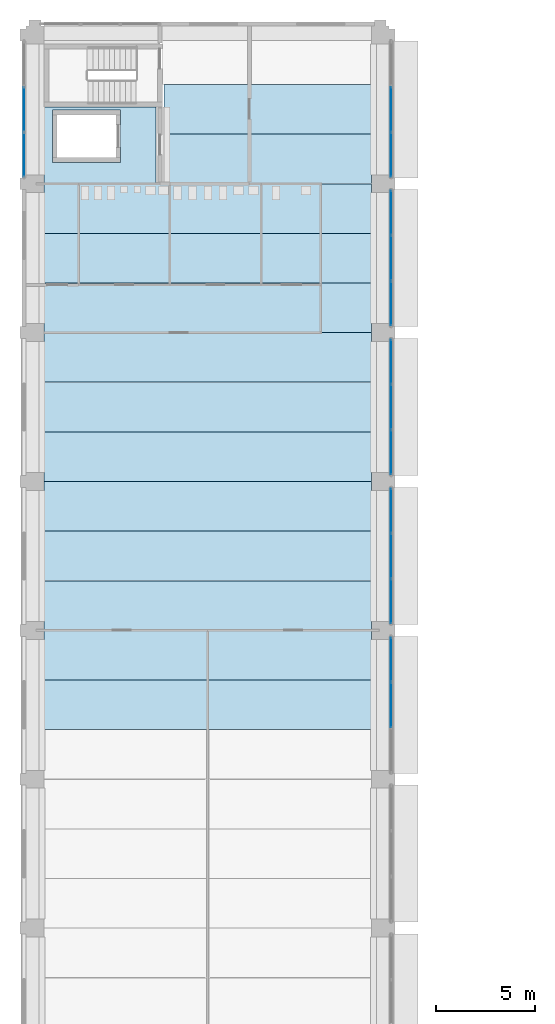
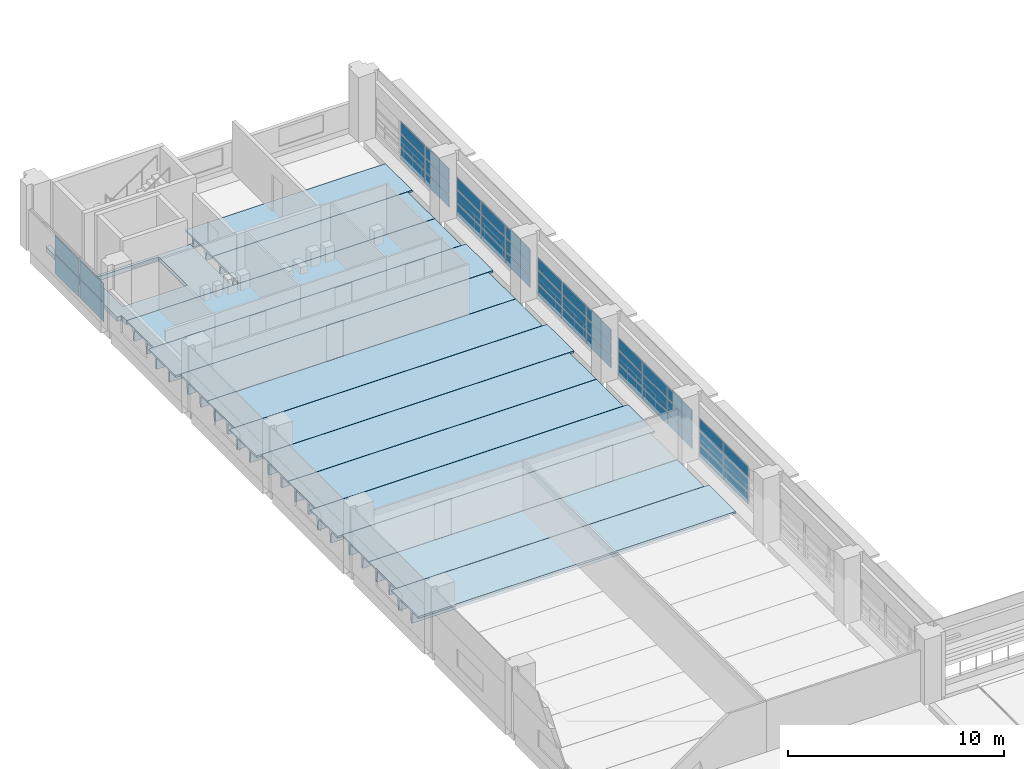
# One storey, part 24 of 57: 43 plates, 14 slabs, 6 elements without a shape of their own.
"""IFC4 building model written with IfcOpenShell, lengths in metres."""

from ifc_helpers import new_model, si_unit, direction, frame, origin, origin_2d, place, context, subcontext, project, spatial, polyline, rectangle, outline, extrude, material, layer, layer_set, material_profile, profile_set, type_object, element, aggregate, save


model = new_model("IFC4")

# Units and contexts
model_context = context("Model", 3, precision=1e-05, world=origin(), true_north=direction((0.0, 1.0)))
body_context = subcontext(model_context, "Body", "Model", "MODEL_VIEW")
ifc_project = project(units=[si_unit("LENGTHUNIT", "METRE"), si_unit("AREAUNIT", "SQUARE_METRE"), si_unit("VOLUMEUNIT", "CUBIC_METRE"), si_unit("PLANEANGLEUNIT", "RADIAN"), si_unit("MASSUNIT", "GRAM", prefix="KILO")], contexts=[model_context])

# Site, building, storey
site_placement = place(None, origin())
site = spatial("IfcSite", under=ifc_project, at=site_placement, CompositionType="ELEMENT")
building_placement = place(site_placement, origin())
building = spatial("IfcBuilding", under=site, at=building_placement, Name="Cour d'Honneur Mobility Palace", CompositionType="ELEMENT")
storey_placement = place(building_placement, frame((0.0, 0.0, 8.199951171875)))
storey = spatial("IfcBuildingStorey", under=building, at=storey_placement, Name="L02", CompositionType="ELEMENT", Elevation=8.199951171875)

# Slab
ifc_material_1 = material(Name="Concrete C50", Category="concrete")
ifc_layer_1 = layer(ifc_material_1, 0.25)
ifc_layer_set_1 = layer_set([ifc_layer_1], Name="Concrete C50")
slab_type_1 = type_object("IfcSlabType", Name="Cast-in-place Slab 250", PredefinedType="FLOOR", material=ifc_layer_set_1)
slab_1_placement = place(storey_placement, frame((0.0, 0.0, -0.25)))
element("IfcSlab", 1, at=slab_1_placement, inside=storey, type_object=slab_type_1, Name="Cast-in-place slab S1 L02 core", PredefinedType="FLOOR", context=body_context, shape_type="SweptSolid", body=[
    extrude(outline(polyline([(0.199951171875, 107.85009765625), (0.199951171875, 114.449951171875), (0.449951171875, 114.449951171875), (0.449951171875, 111.27490234375), (6.10009765625, 111.27490234375), (6.10009765625, 107.39990234375), (0.449951171875, 107.39990234375), (0.449951171875, 107.85009765625), (0.199951171875, 107.85009765625)]), holes=[polyline([(0.875, 111.125), (0.875, 108.47509765625), (4.324951171875, 108.47509765625), (4.324951171875, 111.125), (0.875, 111.125)])]), origin(), (0.0, 0.0, 1.0), 0.25),
])

# Curtain wall, plates
ifc_material_2 = material(Name="Aluminium and glass", Category="aluminium")
ifc_layer_2 = layer(ifc_material_2, 0.10009765625)
ifc_layer_set_2 = layer_set([ifc_layer_2], Name="Aluminium and glass")
curtain_wall_type = type_object("IfcCurtainWallType", Name="Curtain wall run", PredefinedType="NOTDEFINED", material=ifc_layer_set_2)
curtain_wall_1_placement = place(storey_placement, origin())
curtain_wall_1 = element("IfcCurtainWall", 2, at=curtain_wall_1_placement, inside=storey, type_object=curtain_wall_type, Name="Curtain wall CW-25", PredefinedType="NOTDEFINED")
ifc_material_3 = material(Name="Double glazing", Category="glass")
ifc_layer_3 = layer(ifc_material_3, 0.028076171875)
ifc_layer_set_3 = layer_set([ifc_layer_3], Name="Double glazing")
plate_type = type_object("IfcPlateType", Name="Curtain wall panel", PredefinedType="CURTAIN_PANEL", material=ifc_layer_set_3)
plate_1_placement = place(storey_placement, frame((17.949951171875, 81.14990234375, 0.06005859375), z_axis=(0.0, 0.0, 1.0), x_axis=(0.0, 1.0, 0.0)))
plate_1 = element("IfcPlate", 3, at=plate_1_placement, type_object=plate_type, Name="CW-25 panel 2.1", PredefinedType="CURTAIN_PANEL", context=body_context, shape_type="SweptSolid", body=[
    extrude(rectangle(XDim=2.239990234375, YDim=0.028076171875, at=origin_2d()), origin(), (0.0, 0.0, 1.0), 0.6767578125),
])
plate_2_placement = place(storey_placement, frame((17.949951171875, 81.14990234375, 0.796875), z_axis=(0.0, 0.0, 1.0), x_axis=(0.0, 1.0, 0.0)))
plate_2 = element("IfcPlate", 4, at=plate_2_placement, type_object=plate_type, Name="CW-25 panel 2.2", PredefinedType="CURTAIN_PANEL", context=body_context, shape_type="SweptSolid", body=[
    extrude(rectangle(XDim=2.239990234375, YDim=0.028076171875, at=origin_2d()), origin(), (0.0, 0.0, 1.0), 0.706787109375),
])
plate_3_placement = place(storey_placement, frame((17.949951171875, 81.14990234375, 1.563232421875), z_axis=(0.0, 0.0, 1.0), x_axis=(0.0, 1.0, 0.0)))
plate_3 = element("IfcPlate", 5, at=plate_3_placement, type_object=plate_type, Name="CW-25 panel 2.3", PredefinedType="CURTAIN_PANEL", context=body_context, shape_type="SweptSolid", body=[
    extrude(rectangle(XDim=2.239990234375, YDim=0.028076171875, at=origin_2d()), origin(), (0.0, 0.0, 1.0), 0.6767578125),
])
plate_4_placement = place(storey_placement, frame((17.949951171875, 83.43505859375, 0.06005859375), z_axis=(0.0, 0.0, 1.0), x_axis=(0.0, 1.0, 0.0)))
plate_4 = element("IfcPlate", 6, at=plate_4_placement, type_object=plate_type, Name="CW-25 panel 3.1", PredefinedType="CURTAIN_PANEL", context=body_context, shape_type="SweptSolid", body=[
    extrude(rectangle(XDim=2.2099609375, YDim=0.028076171875, at=origin_2d()), origin(), (0.0, 0.0, 1.0), 0.6767578125),
])
plate_5_placement = place(storey_placement, frame((17.949951171875, 83.43505859375, 0.796875), z_axis=(0.0, 0.0, 1.0), x_axis=(0.0, 1.0, 0.0)))
plate_5 = element("IfcPlate", 7, at=plate_5_placement, type_object=plate_type, Name="CW-25 panel 3.2", PredefinedType="CURTAIN_PANEL", context=body_context, shape_type="SweptSolid", body=[
    extrude(rectangle(XDim=2.2099609375, YDim=0.028076171875, at=origin_2d()), origin(), (0.0, 0.0, 1.0), 0.706787109375),
])
plate_6_placement = place(storey_placement, frame((17.949951171875, 83.43505859375, 1.563232421875), z_axis=(0.0, 0.0, 1.0), x_axis=(0.0, 1.0, 0.0)))
plate_6 = element("IfcPlate", 8, at=plate_6_placement, type_object=plate_type, Name="CW-25 panel 3.3", PredefinedType="CURTAIN_PANEL", context=body_context, shape_type="SweptSolid", body=[
    extrude(rectangle(XDim=2.2099609375, YDim=0.028076171875, at=origin_2d()), origin(), (0.0, 0.0, 1.0), 0.6767578125),
])
aggregate(curtain_wall_1, [plate_1, plate_2, plate_3, plate_4, plate_5, plate_6])

curtain_wall_2_placement = place(storey_placement, origin())
curtain_wall_2 = element("IfcCurtainWall", 9, at=curtain_wall_2_placement, inside=storey, type_object=curtain_wall_type, Name="Curtain wall CW-26", PredefinedType="NOTDEFINED")
plate_7_placement = place(storey_placement, frame((17.949951171875, 86.364990234375, 0.06005859375), z_axis=(0.0, 0.0, 1.0), x_axis=(0.0, 1.0, 0.0)))
plate_7 = element("IfcPlate", 10, at=plate_7_placement, type_object=plate_type, Name="CW-26 panel 1.1", PredefinedType="CURTAIN_PANEL", context=body_context, shape_type="SweptSolid", body=[
    extrude(rectangle(XDim=2.2099609375, YDim=0.028076171875, at=origin_2d()), origin(), (0.0, 0.0, 1.0), 0.6767578125),
])
plate_8_placement = place(storey_placement, frame((17.949951171875, 86.364990234375, 0.796875), z_axis=(0.0, 0.0, 1.0), x_axis=(0.0, 1.0, 0.0)))
plate_8 = element("IfcPlate", 11, at=plate_8_placement, type_object=plate_type, Name="CW-26 panel 1.2", PredefinedType="CURTAIN_PANEL", context=body_context, shape_type="SweptSolid", body=[
    extrude(rectangle(XDim=2.2099609375, YDim=0.028076171875, at=origin_2d()), origin(), (0.0, 0.0, 1.0), 0.706787109375),
])
plate_9_placement = place(storey_placement, frame((17.949951171875, 86.364990234375, 1.563232421875), z_axis=(0.0, 0.0, 1.0), x_axis=(0.0, 1.0, 0.0)))
plate_9 = element("IfcPlate", 12, at=plate_9_placement, type_object=plate_type, Name="CW-26 panel 1.3", PredefinedType="CURTAIN_PANEL", context=body_context, shape_type="SweptSolid", body=[
    extrude(rectangle(XDim=2.2099609375, YDim=0.028076171875, at=origin_2d()), origin(), (0.0, 0.0, 1.0), 0.6767578125),
])
plate_10_placement = place(storey_placement, frame((17.949951171875, 88.64990234375, 0.06005859375), z_axis=(0.0, 0.0, 1.0), x_axis=(0.0, 1.0, 0.0)))
plate_10 = element("IfcPlate", 13, at=plate_10_placement, type_object=plate_type, Name="CW-26 panel 2.1", PredefinedType="CURTAIN_PANEL", context=body_context, shape_type="SweptSolid", body=[
    extrude(rectangle(XDim=2.239990234375, YDim=0.028076171875, at=origin_2d()), origin(), (0.0, 0.0, 1.0), 0.6767578125),
])
plate_11_placement = place(storey_placement, frame((17.949951171875, 88.64990234375, 0.796875), z_axis=(0.0, 0.0, 1.0), x_axis=(0.0, 1.0, 0.0)))
plate_11 = element("IfcPlate", 14, at=plate_11_placement, type_object=plate_type, Name="CW-26 panel 2.2", PredefinedType="CURTAIN_PANEL", context=body_context, shape_type="SweptSolid", body=[
    extrude(rectangle(XDim=2.239990234375, YDim=0.028076171875, at=origin_2d()), origin(), (0.0, 0.0, 1.0), 0.706787109375),
])
plate_12_placement = place(storey_placement, frame((17.949951171875, 88.64990234375, 1.563232421875), z_axis=(0.0, 0.0, 1.0), x_axis=(0.0, 1.0, 0.0)))
plate_12 = element("IfcPlate", 15, at=plate_12_placement, type_object=plate_type, Name="CW-26 panel 2.3", PredefinedType="CURTAIN_PANEL", context=body_context, shape_type="SweptSolid", body=[
    extrude(rectangle(XDim=2.239990234375, YDim=0.028076171875, at=origin_2d()), origin(), (0.0, 0.0, 1.0), 0.6767578125),
])
plate_13_placement = place(storey_placement, frame((17.949951171875, 90.93505859375, 0.06005859375), z_axis=(0.0, 0.0, 1.0), x_axis=(0.0, 1.0, 0.0)))
plate_13 = element("IfcPlate", 16, at=plate_13_placement, type_object=plate_type, Name="CW-26 panel 3.1", PredefinedType="CURTAIN_PANEL", context=body_context, shape_type="SweptSolid", body=[
    extrude(rectangle(XDim=2.2099609375, YDim=0.028076171875, at=origin_2d()), origin(), (0.0, 0.0, 1.0), 0.6767578125),
])
plate_14_placement = place(storey_placement, frame((17.949951171875, 90.93505859375, 0.796875), z_axis=(0.0, 0.0, 1.0), x_axis=(0.0, 1.0, 0.0)))
plate_14 = element("IfcPlate", 17, at=plate_14_placement, type_object=plate_type, Name="CW-26 panel 3.2", PredefinedType="CURTAIN_PANEL", context=body_context, shape_type="SweptSolid", body=[
    extrude(rectangle(XDim=2.2099609375, YDim=0.028076171875, at=origin_2d()), origin(), (0.0, 0.0, 1.0), 0.706787109375),
])
plate_15_placement = place(storey_placement, frame((17.949951171875, 90.93505859375, 1.563232421875), z_axis=(0.0, 0.0, 1.0), x_axis=(0.0, 1.0, 0.0)))
plate_15 = element("IfcPlate", 18, at=plate_15_placement, type_object=plate_type, Name="CW-26 panel 3.3", PredefinedType="CURTAIN_PANEL", context=body_context, shape_type="SweptSolid", body=[
    extrude(rectangle(XDim=2.2099609375, YDim=0.028076171875, at=origin_2d()), origin(), (0.0, 0.0, 1.0), 0.6767578125),
])
aggregate(curtain_wall_2, [plate_7, plate_8, plate_9, plate_10, plate_11, plate_12, plate_13, plate_14, plate_15])

curtain_wall_3_placement = place(storey_placement, origin())
curtain_wall_3 = element("IfcCurtainWall", 19, at=curtain_wall_3_placement, inside=storey, type_object=curtain_wall_type, Name="Curtain wall CW-27", PredefinedType="NOTDEFINED")
plate_16_placement = place(storey_placement, frame((17.949951171875, 93.864990234375, 0.06005859375), z_axis=(0.0, 0.0, 1.0), x_axis=(0.0, 1.0, 0.0)))
plate_16 = element("IfcPlate", 20, at=plate_16_placement, type_object=plate_type, Name="CW-27 panel 1.1", PredefinedType="CURTAIN_PANEL", context=body_context, shape_type="SweptSolid", body=[
    extrude(rectangle(XDim=2.2099609375, YDim=0.028076171875, at=origin_2d()), origin(), (0.0, 0.0, 1.0), 0.6767578125),
])
plate_17_placement = place(storey_placement, frame((17.949951171875, 93.864990234375, 0.796875), z_axis=(0.0, 0.0, 1.0), x_axis=(0.0, 1.0, 0.0)))
plate_17 = element("IfcPlate", 21, at=plate_17_placement, type_object=plate_type, Name="CW-27 panel 1.2", PredefinedType="CURTAIN_PANEL", context=body_context, shape_type="SweptSolid", body=[
    extrude(rectangle(XDim=2.2099609375, YDim=0.028076171875, at=origin_2d()), origin(), (0.0, 0.0, 1.0), 0.706787109375),
])
plate_18_placement = place(storey_placement, frame((17.949951171875, 93.864990234375, 1.563232421875), z_axis=(0.0, 0.0, 1.0), x_axis=(0.0, 1.0, 0.0)))
plate_18 = element("IfcPlate", 22, at=plate_18_placement, type_object=plate_type, Name="CW-27 panel 1.3", PredefinedType="CURTAIN_PANEL", context=body_context, shape_type="SweptSolid", body=[
    extrude(rectangle(XDim=2.2099609375, YDim=0.028076171875, at=origin_2d()), origin(), (0.0, 0.0, 1.0), 0.6767578125),
])
plate_19_placement = place(storey_placement, frame((17.949951171875, 96.14990234375, 0.06005859375), z_axis=(0.0, 0.0, 1.0), x_axis=(0.0, 1.0, 0.0)))
plate_19 = element("IfcPlate", 23, at=plate_19_placement, type_object=plate_type, Name="CW-27 panel 2.1", PredefinedType="CURTAIN_PANEL", context=body_context, shape_type="SweptSolid", body=[
    extrude(rectangle(XDim=2.239990234375, YDim=0.028076171875, at=origin_2d()), origin(), (0.0, 0.0, 1.0), 0.6767578125),
])
plate_20_placement = place(storey_placement, frame((17.949951171875, 96.14990234375, 0.796875), z_axis=(0.0, 0.0, 1.0), x_axis=(0.0, 1.0, 0.0)))
plate_20 = element("IfcPlate", 24, at=plate_20_placement, type_object=plate_type, Name="CW-27 panel 2.2", PredefinedType="CURTAIN_PANEL", context=body_context, shape_type="SweptSolid", body=[
    extrude(rectangle(XDim=2.239990234375, YDim=0.028076171875, at=origin_2d()), origin(), (0.0, 0.0, 1.0), 0.706787109375),
])
plate_21_placement = place(storey_placement, frame((17.949951171875, 96.14990234375, 1.563232421875), z_axis=(0.0, 0.0, 1.0), x_axis=(0.0, 1.0, 0.0)))
plate_21 = element("IfcPlate", 25, at=plate_21_placement, type_object=plate_type, Name="CW-27 panel 2.3", PredefinedType="CURTAIN_PANEL", context=body_context, shape_type="SweptSolid", body=[
    extrude(rectangle(XDim=2.239990234375, YDim=0.028076171875, at=origin_2d()), origin(), (0.0, 0.0, 1.0), 0.6767578125),
])
plate_22_placement = place(storey_placement, frame((17.949951171875, 98.43505859375, 0.06005859375), z_axis=(0.0, 0.0, 1.0), x_axis=(0.0, 1.0, 0.0)))
plate_22 = element("IfcPlate", 26, at=plate_22_placement, type_object=plate_type, Name="CW-27 panel 3.1", PredefinedType="CURTAIN_PANEL", context=body_context, shape_type="SweptSolid", body=[
    extrude(rectangle(XDim=2.2099609375, YDim=0.028076171875, at=origin_2d()), origin(), (0.0, 0.0, 1.0), 0.6767578125),
])
plate_23_placement = place(storey_placement, frame((17.949951171875, 98.43505859375, 0.796875), z_axis=(0.0, 0.0, 1.0), x_axis=(0.0, 1.0, 0.0)))
plate_23 = element("IfcPlate", 27, at=plate_23_placement, type_object=plate_type, Name="CW-27 panel 3.2", PredefinedType="CURTAIN_PANEL", context=body_context, shape_type="SweptSolid", body=[
    extrude(rectangle(XDim=2.2099609375, YDim=0.028076171875, at=origin_2d()), origin(), (0.0, 0.0, 1.0), 0.706787109375),
])
plate_24_placement = place(storey_placement, frame((17.949951171875, 98.43505859375, 1.563232421875), z_axis=(0.0, 0.0, 1.0), x_axis=(0.0, 1.0, 0.0)))
plate_24 = element("IfcPlate", 28, at=plate_24_placement, type_object=plate_type, Name="CW-27 panel 3.3", PredefinedType="CURTAIN_PANEL", context=body_context, shape_type="SweptSolid", body=[
    extrude(rectangle(XDim=2.2099609375, YDim=0.028076171875, at=origin_2d()), origin(), (0.0, 0.0, 1.0), 0.6767578125),
])
aggregate(curtain_wall_3, [plate_16, plate_17, plate_18, plate_19, plate_20, plate_21, plate_22, plate_23, plate_24])

curtain_wall_4_placement = place(storey_placement, origin())
curtain_wall_4 = element("IfcCurtainWall", 29, at=curtain_wall_4_placement, inside=storey, type_object=curtain_wall_type, Name="Curtain wall CW-28", PredefinedType="NOTDEFINED")
plate_25_placement = place(storey_placement, frame((17.949951171875, 101.364990234375, 0.06005859375), z_axis=(0.0, 0.0, 1.0), x_axis=(0.0, 1.0, 0.0)))
plate_25 = element("IfcPlate", 30, at=plate_25_placement, type_object=plate_type, Name="CW-28 panel 1.1", PredefinedType="CURTAIN_PANEL", context=body_context, shape_type="SweptSolid", body=[
    extrude(rectangle(XDim=2.2099609375, YDim=0.028076171875, at=origin_2d()), origin(), (0.0, 0.0, 1.0), 0.6767578125),
])
plate_26_placement = place(storey_placement, frame((17.949951171875, 101.364990234375, 0.796875), z_axis=(0.0, 0.0, 1.0), x_axis=(0.0, 1.0, 0.0)))
plate_26 = element("IfcPlate", 31, at=plate_26_placement, type_object=plate_type, Name="CW-28 panel 1.2", PredefinedType="CURTAIN_PANEL", context=body_context, shape_type="SweptSolid", body=[
    extrude(rectangle(XDim=2.2099609375, YDim=0.028076171875, at=origin_2d()), origin(), (0.0, 0.0, 1.0), 0.706787109375),
])
plate_27_placement = place(storey_placement, frame((17.949951171875, 101.364990234375, 1.563232421875), z_axis=(0.0, 0.0, 1.0), x_axis=(0.0, 1.0, 0.0)))
plate_27 = element("IfcPlate", 32, at=plate_27_placement, type_object=plate_type, Name="CW-28 panel 1.3", PredefinedType="CURTAIN_PANEL", context=body_context, shape_type="SweptSolid", body=[
    extrude(rectangle(XDim=2.2099609375, YDim=0.028076171875, at=origin_2d()), origin(), (0.0, 0.0, 1.0), 0.6767578125),
])
plate_28_placement = place(storey_placement, frame((17.949951171875, 103.64990234375, 0.06005859375), z_axis=(0.0, 0.0, 1.0), x_axis=(0.0, 1.0, 0.0)))
plate_28 = element("IfcPlate", 33, at=plate_28_placement, type_object=plate_type, Name="CW-28 panel 2.1", PredefinedType="CURTAIN_PANEL", context=body_context, shape_type="SweptSolid", body=[
    extrude(rectangle(XDim=2.239990234375, YDim=0.028076171875, at=origin_2d()), origin(), (0.0, 0.0, 1.0), 0.6767578125),
])
plate_29_placement = place(storey_placement, frame((17.949951171875, 103.64990234375, 0.796875), z_axis=(0.0, 0.0, 1.0), x_axis=(0.0, 1.0, 0.0)))
plate_29 = element("IfcPlate", 34, at=plate_29_placement, type_object=plate_type, Name="CW-28 panel 2.2", PredefinedType="CURTAIN_PANEL", context=body_context, shape_type="SweptSolid", body=[
    extrude(rectangle(XDim=2.239990234375, YDim=0.028076171875, at=origin_2d()), origin(), (0.0, 0.0, 1.0), 0.706787109375),
])
plate_30_placement = place(storey_placement, frame((17.949951171875, 103.64990234375, 1.563232421875), z_axis=(0.0, 0.0, 1.0), x_axis=(0.0, 1.0, 0.0)))
plate_30 = element("IfcPlate", 35, at=plate_30_placement, type_object=plate_type, Name="CW-28 panel 2.3", PredefinedType="CURTAIN_PANEL", context=body_context, shape_type="SweptSolid", body=[
    extrude(rectangle(XDim=2.239990234375, YDim=0.028076171875, at=origin_2d()), origin(), (0.0, 0.0, 1.0), 0.6767578125),
])
plate_31_placement = place(storey_placement, frame((17.949951171875, 105.93505859375, 0.06005859375), z_axis=(0.0, 0.0, 1.0), x_axis=(0.0, 1.0, 0.0)))
plate_31 = element("IfcPlate", 36, at=plate_31_placement, type_object=plate_type, Name="CW-28 panel 3.1", PredefinedType="CURTAIN_PANEL", context=body_context, shape_type="SweptSolid", body=[
    extrude(rectangle(XDim=2.2099609375, YDim=0.028076171875, at=origin_2d()), origin(), (0.0, 0.0, 1.0), 0.6767578125),
])
plate_32_placement = place(storey_placement, frame((17.949951171875, 105.93505859375, 0.796875), z_axis=(0.0, 0.0, 1.0), x_axis=(0.0, 1.0, 0.0)))
plate_32 = element("IfcPlate", 37, at=plate_32_placement, type_object=plate_type, Name="CW-28 panel 3.2", PredefinedType="CURTAIN_PANEL", context=body_context, shape_type="SweptSolid", body=[
    extrude(rectangle(XDim=2.2099609375, YDim=0.028076171875, at=origin_2d()), origin(), (0.0, 0.0, 1.0), 0.706787109375),
])
plate_33_placement = place(storey_placement, frame((17.949951171875, 105.93505859375, 1.563232421875), z_axis=(0.0, 0.0, 1.0), x_axis=(0.0, 1.0, 0.0)))
plate_33 = element("IfcPlate", 38, at=plate_33_placement, type_object=plate_type, Name="CW-28 panel 3.3", PredefinedType="CURTAIN_PANEL", context=body_context, shape_type="SweptSolid", body=[
    extrude(rectangle(XDim=2.2099609375, YDim=0.028076171875, at=origin_2d()), origin(), (0.0, 0.0, 1.0), 0.6767578125),
])
aggregate(curtain_wall_4, [plate_25, plate_26, plate_27, plate_28, plate_29, plate_30, plate_31, plate_32, plate_33])

curtain_wall_5_placement = place(storey_placement, origin())
curtain_wall_5 = element("IfcCurtainWall", 39, at=curtain_wall_5_placement, inside=storey, type_object=curtain_wall_type, Name="Curtain wall CW-29", PredefinedType="NOTDEFINED")
plate_34_placement = place(storey_placement, frame((17.949951171875, 108.864990234375, 0.06005859375), z_axis=(0.0, 0.0, 1.0), x_axis=(0.0, 1.0, 0.0)))
plate_34 = element("IfcPlate", 40, at=plate_34_placement, type_object=plate_type, Name="CW-29 panel 1.1", PredefinedType="CURTAIN_PANEL", context=body_context, shape_type="SweptSolid", body=[
    extrude(rectangle(XDim=2.2099609375, YDim=0.028076171875, at=origin_2d()), origin(), (0.0, 0.0, 1.0), 0.6767578125),
])
plate_35_placement = place(storey_placement, frame((17.949951171875, 108.864990234375, 0.796875), z_axis=(0.0, 0.0, 1.0), x_axis=(0.0, 1.0, 0.0)))
plate_35 = element("IfcPlate", 41, at=plate_35_placement, type_object=plate_type, Name="CW-29 panel 1.2", PredefinedType="CURTAIN_PANEL", context=body_context, shape_type="SweptSolid", body=[
    extrude(rectangle(XDim=2.2099609375, YDim=0.028076171875, at=origin_2d()), origin(), (0.0, 0.0, 1.0), 0.706787109375),
])
plate_36_placement = place(storey_placement, frame((17.949951171875, 108.864990234375, 1.563232421875), z_axis=(0.0, 0.0, 1.0), x_axis=(0.0, 1.0, 0.0)))
plate_36 = element("IfcPlate", 42, at=plate_36_placement, type_object=plate_type, Name="CW-29 panel 1.3", PredefinedType="CURTAIN_PANEL", context=body_context, shape_type="SweptSolid", body=[
    extrude(rectangle(XDim=2.2099609375, YDim=0.028076171875, at=origin_2d()), origin(), (0.0, 0.0, 1.0), 0.6767578125),
])
plate_37_placement = place(storey_placement, frame((17.949951171875, 111.14990234375, 0.06005859375), z_axis=(0.0, 0.0, 1.0), x_axis=(0.0, 1.0, 0.0)))
plate_37 = element("IfcPlate", 43, at=plate_37_placement, type_object=plate_type, Name="CW-29 panel 2.1", PredefinedType="CURTAIN_PANEL", context=body_context, shape_type="SweptSolid", body=[
    extrude(rectangle(XDim=2.239990234375, YDim=0.028076171875, at=origin_2d()), origin(), (0.0, 0.0, 1.0), 0.6767578125),
])
plate_38_placement = place(storey_placement, frame((17.949951171875, 111.14990234375, 0.796875), z_axis=(0.0, 0.0, 1.0), x_axis=(0.0, 1.0, 0.0)))
plate_38 = element("IfcPlate", 44, at=plate_38_placement, type_object=plate_type, Name="CW-29 panel 2.2", PredefinedType="CURTAIN_PANEL", context=body_context, shape_type="SweptSolid", body=[
    extrude(rectangle(XDim=2.239990234375, YDim=0.028076171875, at=origin_2d()), origin(), (0.0, 0.0, 1.0), 0.706787109375),
])
plate_39_placement = place(storey_placement, frame((17.949951171875, 111.14990234375, 1.563232421875), z_axis=(0.0, 0.0, 1.0), x_axis=(0.0, 1.0, 0.0)))
plate_39 = element("IfcPlate", 45, at=plate_39_placement, type_object=plate_type, Name="CW-29 panel 2.3", PredefinedType="CURTAIN_PANEL", context=body_context, shape_type="SweptSolid", body=[
    extrude(rectangle(XDim=2.239990234375, YDim=0.028076171875, at=origin_2d()), origin(), (0.0, 0.0, 1.0), 0.6767578125),
])
aggregate(curtain_wall_5, [plate_34, plate_35, plate_36, plate_37, plate_38, plate_39])

curtain_wall_6_placement = place(storey_placement, origin())
curtain_wall_6 = element("IfcCurtainWall", 46, at=curtain_wall_6_placement, inside=storey, type_object=curtain_wall_type, Name="Curtain wall CW-127", PredefinedType="NOTDEFINED")
plate_40_placement = place(storey_placement, frame((-0.550048828125, 111.14990234375, 0.06005859375), z_axis=(0.0, 0.0, 1.0), x_axis=(0.0, -1.0, 0.0)))
plate_40 = element("IfcPlate", 47, at=plate_40_placement, type_object=plate_type, Name="CW-127 panel 2.1", PredefinedType="CURTAIN_PANEL", context=body_context, shape_type="SweptSolid", body=[
    extrude(rectangle(XDim=2.239990234375, YDim=0.028076171875, at=origin_2d()), origin(), (0.0, 0.0, 1.0), 1.06005859375),
])
plate_41_placement = place(storey_placement, frame((-0.550048828125, 111.14990234375, 1.179931640625), z_axis=(0.0, 0.0, 1.0), x_axis=(0.0, -1.0, 0.0)))
plate_41 = element("IfcPlate", 48, at=plate_41_placement, type_object=plate_type, Name="CW-127 panel 2.2", PredefinedType="CURTAIN_PANEL", context=body_context, shape_type="SweptSolid", body=[
    extrude(rectangle(XDim=2.239990234375, YDim=0.028076171875, at=origin_2d()), origin(), (0.0, 0.0, 1.0), 1.06005859375),
])
plate_42_placement = place(storey_placement, frame((-0.550048828125, 108.864990234375, 0.06005859375), z_axis=(0.0, 0.0, 1.0), x_axis=(0.0, -1.0, 0.0)))
plate_42 = element("IfcPlate", 49, at=plate_42_placement, type_object=plate_type, Name="CW-127 panel 3.1", PredefinedType="CURTAIN_PANEL", context=body_context, shape_type="SweptSolid", body=[
    extrude(rectangle(XDim=2.2099609375, YDim=0.028076171875, at=origin_2d()), origin(), (0.0, 0.0, 1.0), 1.06005859375),
])
plate_43_placement = place(storey_placement, frame((-0.550048828125, 108.864990234375, 1.179931640625), z_axis=(0.0, 0.0, 1.0), x_axis=(0.0, -1.0, 0.0)))
plate_43 = element("IfcPlate", 50, at=plate_43_placement, type_object=plate_type, Name="CW-127 panel 3.2", PredefinedType="CURTAIN_PANEL", context=body_context, shape_type="SweptSolid", body=[
    extrude(rectangle(XDim=2.2099609375, YDim=0.028076171875, at=origin_2d()), origin(), (0.0, 0.0, 1.0), 1.06005859375),
])
aggregate(curtain_wall_6, [plate_40, plate_41, plate_42, plate_43])

# Slabs
ifc_material_4 = material(Name="Concrete C45", Category="concrete")
ifc_material_profile_1 = material_profile(ifc_material_4, outline(polyline([(-1.2451171875, 0.0), (1.2451171875, 0.0), (1.2451171875, -0.10009765625), (0.679931640625, -0.10009765625), (0.64990234375, -0.60009765625), (0.550048828125, -0.60009765625), (0.52001953125, -0.10009765625), (-0.52001953125, -0.10009765625), (-0.550048828125, -0.60009765625), (-0.64990234375, -0.60009765625), (-0.679931640625, -0.10009765625), (-1.2451171875, -0.10009765625), (-1.2451171875, 0.0)])), Name="DT 2490x600")
ifc_profile_set_1 = profile_set([ifc_material_profile_1], Name="Concrete C45")
slab_type_2 = type_object("IfcSlabType", Name="DT 2490x600", PredefinedType="FLOOR", material=ifc_profile_set_1)
slab_2_placement = place(storey_placement, frame((6.5, 108.64990234375, 0.0), z_axis=(1.0, 0.0, 0.0), x_axis=(0.0, 1.0, 0.0)))
element("IfcSlab", 51, at=slab_2_placement, inside=storey, type_object=slab_type_2, Name="Double tee DT-NW19 L02", PredefinedType="FLOOR", context=body_context, shape_type="SweptSolid", body=[
    extrude(outline(polyline([(-1.2451171875, 0.0), (1.2451171875, 0.0), (1.2451171875, -0.10009765625), (0.679931640625, -0.10009765625), (0.64990234375, -0.60009765625), (0.550048828125, -0.60009765625), (0.52001953125, -0.10009765625), (-0.52001953125, -0.10009765625), (-0.550048828125, -0.60009765625), (-0.64990234375, -0.60009765625), (-0.679931640625, -0.10009765625), (-1.2451171875, -0.10009765625), (-1.2451171875, 0.0)])), origin(), (0.0, 0.0, 1.0), 10.449951171875),
])
slab_3_placement = place(storey_placement, frame((6.5, 111.14990234375, 0.0), z_axis=(1.0, 0.0, 0.0), x_axis=(0.0, 1.0, 0.0)))
element("IfcSlab", 52, at=slab_3_placement, inside=storey, type_object=slab_type_2, Name="Double tee DT-NW20 L02", PredefinedType="FLOOR", context=body_context, shape_type="SweptSolid", body=[
    extrude(outline(polyline([(-1.2451171875, 0.0), (1.2451171875, 0.0), (1.2451171875, -0.10009765625), (0.679931640625, -0.10009765625), (0.64990234375, -0.60009765625), (0.550048828125, -0.60009765625), (0.52001953125, -0.10009765625), (-0.52001953125, -0.10009765625), (-0.550048828125, -0.60009765625), (-0.64990234375, -0.60009765625), (-0.679931640625, -0.10009765625), (-1.2451171875, -0.10009765625), (-1.2451171875, 0.0)])), origin(), (0.0, 0.0, 1.0), 10.699951171875),
])
ifc_material_5 = material(Name="Concrete C45", Category="concrete")
ifc_material_profile_2 = material_profile(ifc_material_5, outline(polyline([(-1.2451171875, 0.0), (1.2451171875, 0.0), (1.2451171875, -0.10009765625), (0.679931640625, -0.10009765625), (0.64990234375, -0.75), (0.550048828125, -0.75), (0.52001953125, -0.10009765625), (-0.52001953125, -0.10009765625), (-0.550048828125, -0.75), (-0.64990234375, -0.75), (-0.679931640625, -0.10009765625), (-1.2451171875, -0.10009765625), (-1.2451171875, 0.0)])), Name="DT 2490x750")
ifc_profile_set_2 = profile_set([ifc_material_profile_2], Name="Concrete C45")
slab_type_3 = type_object("IfcSlabType", Name="DT 2490x750", PredefinedType="FLOOR", material=ifc_profile_set_2)
slab_4_placement = place(storey_placement, frame((0.199951171875, 81.14990234375, 0.0), z_axis=(1.0, 0.0, 0.0), x_axis=(0.0, 1.0, 0.0)))
element("IfcSlab", 53, at=slab_4_placement, inside=storey, type_object=slab_type_3, Name="Double tee DT-NW8 L02", PredefinedType="FLOOR", context=body_context, shape_type="SweptSolid", body=[
    extrude(outline(polyline([(-1.2451171875, 0.0), (1.2451171875, 0.0), (1.2451171875, -0.10009765625), (0.679931640625, -0.10009765625), (0.64990234375, -0.75), (0.550048828125, -0.75), (0.52001953125, -0.10009765625), (-0.52001953125, -0.10009765625), (-0.550048828125, -0.75), (-0.64990234375, -0.75), (-0.679931640625, -0.10009765625), (-1.2451171875, -0.10009765625), (-1.2451171875, 0.0)])), origin(), (0.0, 0.0, 1.0), 17.0),
])
for number, where, z_axis, x_axis, name in (
    (54, (0.449951171875, 83.64990234375, 0.0), (1.0, 0.0, 0.0), (0.0, 1.0, 0.0), "Double tee DT-NW9 L02"),
    (55, (0.449951171875, 86.14990234375, 0.0), (1.0, 0.0, 0.0), (0.0, 1.0, 0.0), "Double tee DT-NW10 L02"),
):
    element("IfcSlab", number, at=place(storey_placement, frame(where, z_axis=z_axis, x_axis=x_axis)), inside=storey, type_object=slab_type_3, Name=name, PredefinedType="FLOOR", context=body_context, shape_type="SweptSolid", body=[
        extrude(outline(polyline([(-1.2451171875, 0.0), (1.2451171875, 0.0), (1.2451171875, -0.10009765625), (0.679931640625, -0.10009765625), (0.64990234375, -0.75), (0.550048828125, -0.75), (0.52001953125, -0.10009765625), (-0.52001953125, -0.10009765625), (-0.550048828125, -0.75), (-0.64990234375, -0.75), (-0.679931640625, -0.10009765625), (-1.2451171875, -0.10009765625), (-1.2451171875, 0.0)])), origin(), (0.0, 0.0, 1.0), 16.5),
    ])
slab_5_placement = place(storey_placement, frame((0.199951171875, 88.64990234375, 0.0), z_axis=(1.0, 0.0, 0.0), x_axis=(0.0, 1.0, 0.0)))
element("IfcSlab", 56, at=slab_5_placement, inside=storey, type_object=slab_type_3, Name="Double tee DT-NW11 L02", PredefinedType="FLOOR", context=body_context, shape_type="SweptSolid", body=[
    extrude(outline(polyline([(-1.2451171875, 0.0), (1.2451171875, 0.0), (1.2451171875, -0.10009765625), (0.679931640625, -0.10009765625), (0.64990234375, -0.75), (0.550048828125, -0.75), (0.52001953125, -0.10009765625), (-0.52001953125, -0.10009765625), (-0.550048828125, -0.75), (-0.64990234375, -0.75), (-0.679931640625, -0.10009765625), (-1.2451171875, -0.10009765625), (-1.2451171875, 0.0)])), origin(), (0.0, 0.0, 1.0), 17.0),
])
for number, where, z_axis, x_axis, name in (
    (57, (0.449951171875, 91.14990234375, 0.0), (1.0, 0.0, 0.0), (0.0, 1.0, 0.0), "Double tee DT-NW12 L02"),
    (58, (0.449951171875, 93.64990234375, 0.0), (1.0, 0.0, 0.0), (0.0, 1.0, 0.0), "Double tee DT-NW13 L02"),
):
    element("IfcSlab", number, at=place(storey_placement, frame(where, z_axis=z_axis, x_axis=x_axis)), inside=storey, type_object=slab_type_3, Name=name, PredefinedType="FLOOR", context=body_context, shape_type="SweptSolid", body=[
        extrude(outline(polyline([(-1.2451171875, 0.0), (1.2451171875, 0.0), (1.2451171875, -0.10009765625), (0.679931640625, -0.10009765625), (0.64990234375, -0.75), (0.550048828125, -0.75), (0.52001953125, -0.10009765625), (-0.52001953125, -0.10009765625), (-0.550048828125, -0.75), (-0.64990234375, -0.75), (-0.679931640625, -0.10009765625), (-1.2451171875, -0.10009765625), (-1.2451171875, 0.0)])), origin(), (0.0, 0.0, 1.0), 16.5),
    ])
slab_6_placement = place(storey_placement, frame((0.199951171875, 96.14990234375, 0.0), z_axis=(1.0, 0.0, 0.0), x_axis=(0.0, 1.0, 0.0)))
element("IfcSlab", 59, at=slab_6_placement, inside=storey, type_object=slab_type_3, Name="Double tee DT-NW14 L02", PredefinedType="FLOOR", context=body_context, shape_type="SweptSolid", body=[
    extrude(outline(polyline([(-1.2451171875, 0.0), (1.2451171875, 0.0), (1.2451171875, -0.10009765625), (0.679931640625, -0.10009765625), (0.64990234375, -0.75), (0.550048828125, -0.75), (0.52001953125, -0.10009765625), (-0.52001953125, -0.10009765625), (-0.550048828125, -0.75), (-0.64990234375, -0.75), (-0.679931640625, -0.10009765625), (-1.2451171875, -0.10009765625), (-1.2451171875, 0.0)])), origin(), (0.0, 0.0, 1.0), 17.0),
])
for number, where, z_axis, x_axis, name in (
    (60, (0.449951171875, 98.64990234375, 0.0), (1.0, 0.0, 0.0), (0.0, 1.0, 0.0), "Double tee DT-NW15 L02"),
    (61, (0.449951171875, 101.14990234375, 0.0), (1.0, 0.0, 0.0), (0.0, 1.0, 0.0), "Double tee DT-NW16 L02"),
):
    element("IfcSlab", number, at=place(storey_placement, frame(where, z_axis=z_axis, x_axis=x_axis)), inside=storey, type_object=slab_type_3, Name=name, PredefinedType="FLOOR", context=body_context, shape_type="SweptSolid", body=[
        extrude(outline(polyline([(-1.2451171875, 0.0), (1.2451171875, 0.0), (1.2451171875, -0.10009765625), (0.679931640625, -0.10009765625), (0.64990234375, -0.75), (0.550048828125, -0.75), (0.52001953125, -0.10009765625), (-0.52001953125, -0.10009765625), (-0.550048828125, -0.75), (-0.64990234375, -0.75), (-0.679931640625, -0.10009765625), (-1.2451171875, -0.10009765625), (-1.2451171875, 0.0)])), origin(), (0.0, 0.0, 1.0), 16.5),
    ])
slab_7_placement = place(storey_placement, frame((0.199951171875, 103.64990234375, 0.0), z_axis=(1.0, 0.0, 0.0), x_axis=(0.0, 1.0, 0.0)))
element("IfcSlab", 62, at=slab_7_placement, inside=storey, type_object=slab_type_3, Name="Double tee DT-NW17 L02", PredefinedType="FLOOR", context=body_context, shape_type="SweptSolid", body=[
    extrude(outline(polyline([(-1.2451171875, 0.0), (1.2451171875, 0.0), (1.2451171875, -0.10009765625), (0.679931640625, -0.10009765625), (0.64990234375, -0.75), (0.550048828125, -0.75), (0.52001953125, -0.10009765625), (-0.52001953125, -0.10009765625), (-0.550048828125, -0.75), (-0.64990234375, -0.75), (-0.679931640625, -0.10009765625), (-1.2451171875, -0.10009765625), (-1.2451171875, 0.0)])), origin(), (0.0, 0.0, 1.0), 17.0),
])
slab_8_placement = place(storey_placement, frame((0.449951171875, 106.14990234375, 0.0), z_axis=(1.0, 0.0, 0.0), x_axis=(0.0, 1.0, 0.0)))
element("IfcSlab", 63, at=slab_8_placement, inside=storey, type_object=slab_type_3, Name="Double tee DT-NW18 L02", PredefinedType="FLOOR", context=body_context, shape_type="SweptSolid", body=[
    extrude(outline(polyline([(-1.2451171875, 0.0), (1.2451171875, 0.0), (1.2451171875, -0.10009765625), (0.679931640625, -0.10009765625), (0.64990234375, -0.75), (0.550048828125, -0.75), (0.52001953125, -0.10009765625), (-0.52001953125, -0.10009765625), (-0.550048828125, -0.75), (-0.64990234375, -0.75), (-0.679931640625, -0.10009765625), (-1.2451171875, -0.10009765625), (-1.2451171875, 0.0)])), origin(), (0.0, 0.0, 1.0), 16.5),
])

save(model, "model.ifc")
